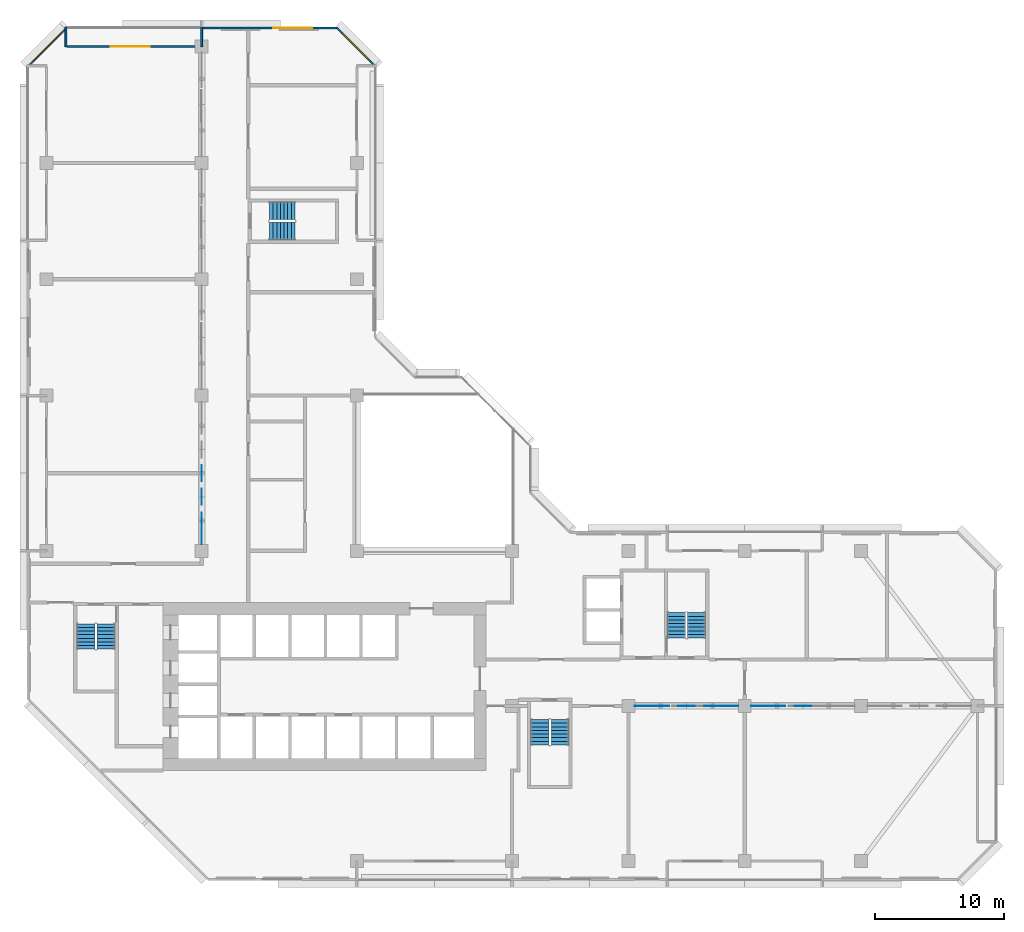
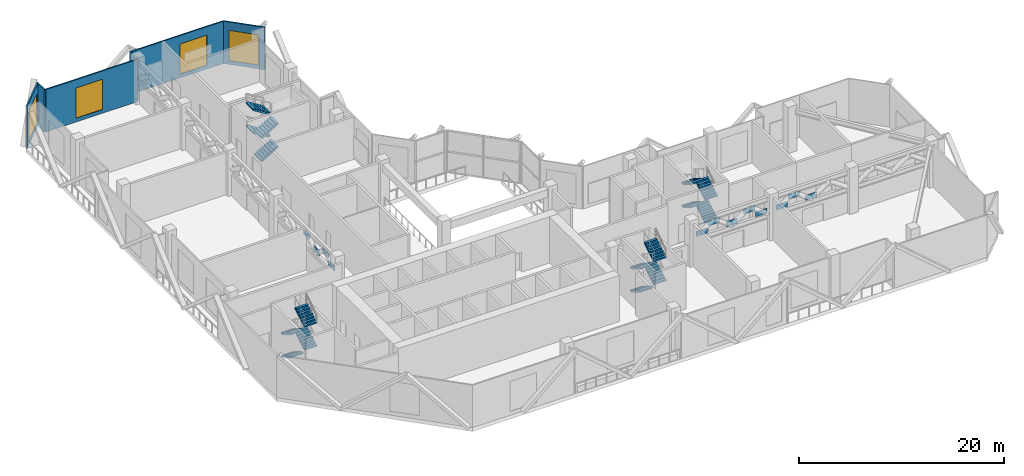
# One storey, part 11 of 15: 16 stair flights, 12 discrete accessories, 6 walls, 4 windows, 4 openings, 4 elements without a shape of their own.
"""IFC4 building model written with IfcOpenShell, lengths in metres."""

from ifc_helpers import new_model, si_unit, direction, frame, frame_2d, origin, place, context, subcontext, project, spatial, polyline, rectangle, outline, extrude, material, layer, layer_set, type_object, element, fill, aggregate, save


model = new_model("IFC4")

# Units and contexts
model_context = context("Model", 3, precision=1e-05, world=origin(), true_north=direction((0.0, 1.0)))
body_context = subcontext(model_context, "Body", "Model", "MODEL_VIEW")
ifc_project = project(units=[si_unit("LENGTHUNIT", "METRE"), si_unit("AREAUNIT", "SQUARE_METRE"), si_unit("VOLUMEUNIT", "CUBIC_METRE"), si_unit("PLANEANGLEUNIT", "RADIAN"), si_unit("MASSUNIT", "GRAM", prefix="KILO")], contexts=[model_context])

# Site, building, storey
site_placement = place(None, origin())
site = spatial("IfcSite", under=ifc_project, at=site_placement, CompositionType="ELEMENT")
building_placement = place(site_placement, origin())
building = spatial("IfcBuilding", under=site, at=building_placement, Name="Chenar Terraces", CompositionType="ELEMENT")
storey_placement = place(building_placement, frame((0.0, 0.0, 140.64990234375)))
storey = spatial("IfcBuildingStorey", under=building, at=storey_placement, Name="L33", CompositionType="ELEMENT", Elevation=140.64990234375)

# Wall, opening, window
ifc_material_1 = material(Name="Aluminium framed glazing", Category="aluminium")
ifc_layer_1 = layer(ifc_material_1, 0.14990234375)
ifc_layer_set_1 = layer_set([ifc_layer_1], Name="Aluminium framed glazing")
wall_type_1 = type_object("IfcWallType", Name="Glazed flush facade wall 150", PredefinedType="SOLIDWALL", material=ifc_layer_set_1)
wall_1_placement = place(storey_placement, frame((22.5, 64.425048828125, 0.0), z_axis=(0.0, 0.0, 1.0), x_axis=(-1.0, 0.0, 0.0)))
wall_1 = element("IfcWall", 1, at=wall_1_placement, inside=storey, type_object=wall_type_1, Name="Glazed flush facade wall", PredefinedType="SOLIDWALL", context=body_context, shape_type="SweptSolid", body=[
    extrude(rectangle(XDim=10.425048828125, YDim=0.14990234375, at=frame_2d((5.21240234375, 0.0))), origin(), (0.0, 0.0, 1.0), 5.050048828125),
])
opening_1_placement = place(wall_1_placement, frame((1.949951171875, 0.0, 0.449951171875)))
opening_1 = element("IfcOpeningElement", 2, at=opening_1_placement, cuts=wall_1, Name="Opening W300x360", PredefinedType="OPENING", context=body_context, shape_type="SweptSolid", body=[
    extrude(rectangle(XDim=3.0, YDim=3.60009765625, at=frame_2d((1.5, 1.800048828125))), frame((0.0, 0.0849609375, 0.0), z_axis=(0.0, -1.0, 0.0), x_axis=(1.0, 0.0, 0.0)), (0.0, 0.0, 1.0), 0.169921875),
])
ifc_material_2 = material(Name="Low emissivity double glazing, aluminium frame", Category="aluminium")
window_type = type_object("IfcWindowType", Name="Fixed light 3000 x 3600", PartitioningType="SINGLE_PANEL", PredefinedType="WINDOW", material=ifc_material_2)
window_1_placement = place(opening_1_placement, origin())
window_1 = element("IfcWindow", 3, at=window_1_placement, inside=storey, type_object=window_type, Name="Window", OverallHeight=3.60009765625, OverallWidth=3.0, PartitioningType="SINGLE_PANEL", PredefinedType="WINDOW", context=body_context, shape_type="SweptSolid", body=[
    extrude(rectangle(XDim=3.0, YDim=3.60009765625, at=frame_2d((1.5, 1.800048828125))), frame((0.0, 0.030029296875, 0.0), z_axis=(0.0, -1.0, 0.0), x_axis=(1.0, 0.0, 0.0)), (0.0, 0.0, 1.0), 0.06005859375),
])
fill(opening_1, window_1)

ifc_material_3 = material(Name="Aluminium framed glazing", Category="aluminium")
ifc_layer_2 = layer(ifc_material_3, 0.14990234375)
ifc_layer_set_2 = layer_set([ifc_layer_2], Name="Aluminium framed glazing")
wall_type_2 = type_object("IfcWallType", Name="Glazed loggia back wall 150", PredefinedType="SOLIDWALL", material=ifc_layer_set_2)
wall_2_placement = place(storey_placement, frame((11.925048828125, 63.0, 0.0), z_axis=(0.0, 0.0, 1.0), x_axis=(-1.0, 0.0, 0.0)))
wall_2 = element("IfcWall", 4, at=wall_2_placement, inside=storey, type_object=wall_type_2, Name="Glazed loggia back wall", PredefinedType="SOLIDWALL", context=body_context, shape_type="SweptSolid", body=[
    extrude(rectangle(XDim=10.35009765625, YDim=0.14990234375, at=frame_2d((5.175048828125, 0.0))), origin(), (0.0, 0.0, 1.0), 5.050048828125),
])
opening_2_placement = place(wall_2_placement, frame((3.9375, 0.0, 0.449951171875)))
opening_2 = element("IfcOpeningElement", 5, at=opening_2_placement, cuts=wall_2, Name="Opening W300x360", PredefinedType="OPENING", context=body_context, shape_type="SweptSolid", body=[
    extrude(rectangle(XDim=3.0, YDim=3.60009765625, at=frame_2d((1.5, 1.800048828125))), frame((0.0, 0.0849609375, 0.0), z_axis=(0.0, -1.0, 0.0), x_axis=(1.0, 0.0, 0.0)), (0.0, 0.0, 1.0), 0.169921875),
])
window_2_placement = place(opening_2_placement, origin())
window_2 = element("IfcWindow", 6, at=window_2_placement, inside=storey, type_object=window_type, Name="Window", OverallHeight=3.60009765625, OverallWidth=3.0, PartitioningType="SINGLE_PANEL", PredefinedType="WINDOW", context=body_context, shape_type="SweptSolid", body=[
    extrude(rectangle(XDim=3.0, YDim=3.60009765625, at=frame_2d((1.5, 1.800048828125))), frame((0.0, 0.030029296875, 0.0), z_axis=(0.0, -1.0, 0.0), x_axis=(1.0, 0.0, 0.0)), (0.0, 0.0, 1.0), 0.06005859375),
])
fill(opening_2, window_2)

# Walls
ifc_material_4 = material(Name="Terracotta cladding on insulated backing", Category="masonry")
ifc_layer_3 = layer(ifc_material_4, 0.14990234375)
ifc_layer_set_3 = layer_set([ifc_layer_3], Name="Terracotta cladding on insulated backing")
wall_type_3 = type_object("IfcWallType", Name="Loggia return wall 150", PredefinedType="SOLIDWALL", material=ifc_layer_set_3)
for number, where, z_axis, x_axis, name in (
    (7, (12.0, 64.5, 0.0), (0.0, 0.0, 1.0), (0.0, -1.0, 0.0), "Loggia return wall"),
    (8, (1.5, 64.5, 0.0), (0.0, 0.0, 1.0), (0.0, -1.0, 0.0), "Loggia return wall"),
):
    element("IfcWall", number, at=place(storey_placement, frame(where, z_axis=z_axis, x_axis=x_axis)), inside=storey, type_object=wall_type_3, Name=name, PredefinedType="SOLIDWALL", context=body_context, shape_type="SweptSolid", body=[
        extrude(rectangle(XDim=1.5, YDim=0.14990234375, at=frame_2d((0.75, 0.0))), origin(), (0.0, 0.0, 1.0), 5.050048828125),
    ])

# Wall, opening, window
ifc_material_5 = material(Name="Terracotta cladding on insulated backing", Category="masonry")
ifc_layer_4 = layer(ifc_material_5, 0.14990234375)
ifc_layer_set_4 = layer_set([ifc_layer_4], Name="Terracotta cladding on insulated backing")
wall_type_4 = type_object("IfcWallType", Name="Terracotta rainscreen wall 150", PredefinedType="SOLIDWALL", material=ifc_layer_set_4)
wall_3_placement = place(storey_placement, frame((25.447021484375, 61.447021484375, 0.0), z_axis=(0.0, 0.0, 1.0), x_axis=(-0.707106781187, 0.707106781187, 0.0)))
wall_3 = element("IfcWall", 9, at=wall_3_placement, inside=storey, type_object=wall_type_4, Name="Terracotta rainscreen wall", PredefinedType="SOLIDWALL", context=body_context, shape_type="SweptSolid", body=[
    extrude(rectangle(XDim=4.24267578125, YDim=0.14990234375, at=frame_2d((2.121337890625, 0.0))), origin(), (0.0, 0.0, 1.0), 5.050048828125),
])
opening_3_placement = place(wall_3_placement, frame((0.621337890625, 0.0, 0.449951171875)))
opening_3 = element("IfcOpeningElement", 10, at=opening_3_placement, cuts=wall_3, Name="Opening W300x360", PredefinedType="OPENING", context=body_context, shape_type="SweptSolid", body=[
    extrude(rectangle(XDim=3.0, YDim=3.60009765625, at=frame_2d((1.5, 1.800048828125))), frame((0.0, 0.0849609375, 0.0), z_axis=(0.0, -1.0, 0.0), x_axis=(1.0, 0.0, 0.0)), (0.0, 0.0, 1.0), 0.169921875),
])
window_3_placement = place(opening_3_placement, origin())
window_3 = element("IfcWindow", 11, at=window_3_placement, inside=storey, type_object=window_type, Name="Window", OverallHeight=3.60009765625, OverallWidth=3.0, PartitioningType="SINGLE_PANEL", PredefinedType="WINDOW", context=body_context, shape_type="SweptSolid", body=[
    extrude(rectangle(XDim=3.0, YDim=3.60009765625, at=frame_2d((1.5, 1.800048828125))), frame((0.0, 0.030029296875, 0.0), z_axis=(0.0, -1.0, 0.0), x_axis=(1.0, 0.0, 0.0)), (0.0, 0.0, 1.0), 0.06005859375),
])
fill(opening_3, window_3)

wall_4_placement = place(storey_placement, frame((1.552978515625, 64.447021484375, 0.0), z_axis=(0.0, 0.0, 1.0), x_axis=(-0.707106781187, -0.707106781187, 0.0)))
wall_4 = element("IfcWall", 12, at=wall_4_placement, inside=storey, type_object=wall_type_4, Name="Terracotta rainscreen wall", PredefinedType="SOLIDWALL", context=body_context, shape_type="SweptSolid", body=[
    extrude(rectangle(XDim=4.24267578125, YDim=0.14990234375, at=frame_2d((2.121337890625, 0.0))), origin(), (0.0, 0.0, 1.0), 5.050048828125),
])
opening_4_placement = place(wall_4_placement, frame((0.621337890625, 0.0, 0.449951171875)))
opening_4 = element("IfcOpeningElement", 13, at=opening_4_placement, cuts=wall_4, Name="Opening W300x360", PredefinedType="OPENING", context=body_context, shape_type="SweptSolid", body=[
    extrude(rectangle(XDim=3.0, YDim=3.60009765625, at=frame_2d((1.5, 1.800048828125))), frame((0.0, 0.0849609375, 0.0), z_axis=(0.0, -1.0, 0.0), x_axis=(1.0, 0.0, 0.0)), (0.0, 0.0, 1.0), 0.169921875),
])
window_4_placement = place(opening_4_placement, origin())
window_4 = element("IfcWindow", 14, at=window_4_placement, inside=storey, type_object=window_type, Name="Window", OverallHeight=3.60009765625, OverallWidth=3.0, PartitioningType="SINGLE_PANEL", PredefinedType="WINDOW", context=body_context, shape_type="SweptSolid", body=[
    extrude(rectangle(XDim=3.0, YDim=3.60009765625, at=frame_2d((1.5, 1.800048828125))), frame((0.0, 0.030029296875, 0.0), z_axis=(0.0, -1.0, 0.0), x_axis=(1.0, 0.0, 0.0)), (0.0, 0.0, 1.0), 0.06005859375),
])
fill(opening_4, window_4)

# Stair, stair flights
ifc_material_6 = material(Name="Reinforced concrete C40/50", Category="concrete")
stair_type = type_object("IfcStairType", Name="Core stair 1400 half-turn", PredefinedType="HALF_TURN_STAIR", material=ifc_material_6)
placement_1 = place(storey_placement, origin())
stair_1 = element("IfcStair", 15, at=placement_1, inside=storey, type_object=stair_type, Name="L33 Stair 1", PredefinedType="HALF_TURN_STAIR")
ifc_material_7 = material(Name="Reinforced concrete C40/50", Category="concrete")
stair_flight_type = type_object("IfcStairFlightType", Name="Core stair flight 1400", PredefinedType="STRAIGHT", material=ifc_material_7)
stair_flight_1_placement = place(storey_placement, frame((3.050048828125, 18.35009765625, 0.0), z_axis=(0.0, 0.0, 1.0), x_axis=(0.0, -1.0, 0.0)))
stair_flight_1 = element("IfcStairFlight", 16, at=stair_flight_1_placement, type_object=stair_flight_type, Name="ST1 flight 1", NumberOfRisers=8, NumberOfTreads=7, PredefinedType="STRAIGHT", RiserHeight=0.171875, TreadLength=0.28, context=body_context, shape_type="SweptSolid", body=[
    extrude(outline(polyline([(-0.0029296875, 0.0), (-0.0029296875, 0.171875), (0.0, 0.171875), (0.280029296875, 0.171875), (0.280029296875, 0.34375), (0.56005859375, 0.34375), (0.56005859375, 0.515625), (0.840087890625, 0.515625), (0.840087890625, 0.6875), (1.1201171875, 0.6875), (1.1201171875, 0.859375), (1.39990234375, 0.859375), (1.39990234375, 1.03125), (1.679931640625, 1.03125), (1.679931640625, 1.203125), (1.9599609375, 1.203125), (1.962890625, 1.203125), (1.962890625, 1.02734375), (1.9599609375, 1.02734375), (0.28662109375, 0.0), (-0.0029296875, 0.0)])), frame((0.0, 0.699951171875, 0.0), z_axis=(0.0, -1.0, 0.0), x_axis=(1.0, 0.0, 0.0)), (0.0, 0.0, 1.0), 1.39990234375),
])
stair_flight_2_placement = place(storey_placement, frame((4.60009765625, 16.389892578125, 1.375), z_axis=(0.0, 0.0, 1.0), x_axis=(0.0, 1.0, 0.0)))
stair_flight_2 = element("IfcStairFlight", 17, at=stair_flight_2_placement, type_object=stair_flight_type, Name="ST1 flight 2", NumberOfRisers=8, NumberOfTreads=7, PredefinedType="STRAIGHT", RiserHeight=0.171875, TreadLength=0.28, context=body_context, shape_type="SweptSolid", body=[
    extrude(outline(polyline([(-0.0029296875, 0.0), (-0.0029296875, 0.171875), (0.0, 0.171875), (0.280029296875, 0.171875), (0.280029296875, 0.34375), (0.56005859375, 0.34375), (0.56005859375, 0.515625), (0.840087890625, 0.515625), (0.840087890625, 0.6875), (1.1201171875, 0.6875), (1.1201171875, 0.859375), (1.39990234375, 0.859375), (1.39990234375, 1.03125), (1.679931640625, 1.03125), (1.679931640625, 1.203125), (1.9599609375, 1.203125), (1.962890625, 1.203125), (1.962890625, 1.02734375), (1.9599609375, 1.02734375), (0.28662109375, 0.0), (-0.0029296875, 0.0)])), frame((0.0, 0.699951171875, 0.0), z_axis=(0.0, -1.0, 0.0), x_axis=(1.0, 0.0, 0.0)), (0.0, 0.0, 1.0), 1.39990234375),
])
stair_flight_3_placement = place(storey_placement, frame((3.050048828125, 18.35009765625, 2.75), z_axis=(0.0, 0.0, 1.0), x_axis=(0.0, -1.0, 0.0)))
stair_flight_3 = element("IfcStairFlight", 18, at=stair_flight_3_placement, type_object=stair_flight_type, Name="ST1 flight 3", NumberOfRisers=8, NumberOfTreads=7, PredefinedType="STRAIGHT", RiserHeight=0.171875, TreadLength=0.28, context=body_context, shape_type="SweptSolid", body=[
    extrude(outline(polyline([(-0.0029296875, 0.0), (-0.0029296875, 0.171875), (0.0, 0.171875), (0.280029296875, 0.171875), (0.280029296875, 0.34375), (0.56005859375, 0.34375), (0.56005859375, 0.515625), (0.840087890625, 0.515625), (0.840087890625, 0.6875), (1.1201171875, 0.6875), (1.1201171875, 0.859375), (1.39990234375, 0.859375), (1.39990234375, 1.03125), (1.679931640625, 1.03125), (1.679931640625, 1.203125), (1.9599609375, 1.203125), (1.962890625, 1.203125), (1.962890625, 1.02734375), (1.9599609375, 1.02734375), (0.28662109375, 0.0), (-0.0029296875, 0.0)])), frame((0.0, 0.699951171875, 0.0), z_axis=(0.0, -1.0, 0.0), x_axis=(1.0, 0.0, 0.0)), (0.0, 0.0, 1.0), 1.39990234375),
])
stair_flight_4_placement = place(storey_placement, frame((4.60009765625, 16.389892578125, 4.125), z_axis=(0.0, 0.0, 1.0), x_axis=(0.0, 1.0, 0.0)))
stair_flight_4 = element("IfcStairFlight", 19, at=stair_flight_4_placement, type_object=stair_flight_type, Name="ST1 flight 4", NumberOfRisers=8, NumberOfTreads=7, PredefinedType="STRAIGHT", RiserHeight=0.171875, TreadLength=0.28, context=body_context, shape_type="SweptSolid", body=[
    extrude(outline(polyline([(-0.0029296875, 0.0), (-0.0029296875, 0.171875), (0.0, 0.171875), (0.280029296875, 0.171875), (0.280029296875, 0.34375), (0.56005859375, 0.34375), (0.56005859375, 0.515625), (0.840087890625, 0.515625), (0.840087890625, 0.6875), (1.1201171875, 0.6875), (1.1201171875, 0.859375), (1.39990234375, 0.859375), (1.39990234375, 1.03125), (1.679931640625, 1.03125), (1.679931640625, 1.203125), (1.9599609375, 1.203125), (1.962890625, 1.203125), (1.962890625, 1.02734375), (1.9599609375, 1.02734375), (0.28662109375, 0.0), (-0.0029296875, 0.0)])), frame((0.0, 0.699951171875, 0.0), z_axis=(0.0, -1.0, 0.0), x_axis=(1.0, 0.0, 0.0)), (0.0, 0.0, 1.0), 1.39990234375),
])
aggregate(stair_1, [stair_flight_1, stair_flight_2, stair_flight_3, stair_flight_4])

stair_2 = element("IfcStair", 20, at=placement_1, inside=storey, type_object=stair_type, Name="L33 Stair 2", PredefinedType="HALF_TURN_STAIR")
stair_flight_5_placement = place(storey_placement, frame((38.14990234375, 10.949951171875, 0.0), z_axis=(0.0, 0.0, 1.0), x_axis=(0.0, -1.0, 0.0)))
stair_flight_5 = element("IfcStairFlight", 21, at=stair_flight_5_placement, type_object=stair_flight_type, Name="ST2 flight 1", NumberOfRisers=8, NumberOfTreads=7, PredefinedType="STRAIGHT", RiserHeight=0.171875, TreadLength=0.28, context=body_context, shape_type="SweptSolid", body=[
    extrude(outline(polyline([(-0.0029296875, 0.0), (-0.0029296875, 0.171875), (0.0, 0.171875), (0.280029296875, 0.171875), (0.280029296875, 0.34375), (0.56005859375, 0.34375), (0.56005859375, 0.515625), (0.840087890625, 0.515625), (0.840087890625, 0.6875), (1.1201171875, 0.6875), (1.1201171875, 0.859375), (1.39990234375, 0.859375), (1.39990234375, 1.03125), (1.679931640625, 1.03125), (1.679931640625, 1.203125), (1.9599609375, 1.203125), (1.962890625, 1.203125), (1.962890625, 1.02734375), (1.9599609375, 1.02734375), (0.28662109375, 0.0), (-0.0029296875, 0.0)])), frame((0.0, 0.699951171875, 0.0), z_axis=(0.0, -1.0, 0.0), x_axis=(1.0, 0.0, 0.0)), (0.0, 0.0, 1.0), 1.39990234375),
])
stair_flight_6_placement = place(storey_placement, frame((39.699951171875, 8.989990234375, 1.375), z_axis=(0.0, 0.0, 1.0), x_axis=(0.0, 1.0, 0.0)))
stair_flight_6 = element("IfcStairFlight", 22, at=stair_flight_6_placement, type_object=stair_flight_type, Name="ST2 flight 2", NumberOfRisers=8, NumberOfTreads=7, PredefinedType="STRAIGHT", RiserHeight=0.171875, TreadLength=0.28, context=body_context, shape_type="SweptSolid", body=[
    extrude(outline(polyline([(-0.0029296875, 0.0), (-0.0029296875, 0.171875), (0.0, 0.171875), (0.280029296875, 0.171875), (0.280029296875, 0.34375), (0.56005859375, 0.34375), (0.56005859375, 0.515625), (0.840087890625, 0.515625), (0.840087890625, 0.6875), (1.1201171875, 0.6875), (1.1201171875, 0.859375), (1.39990234375, 0.859375), (1.39990234375, 1.03125), (1.679931640625, 1.03125), (1.679931640625, 1.203125), (1.9599609375, 1.203125), (1.962890625, 1.203125), (1.962890625, 1.02734375), (1.9599609375, 1.02734375), (0.28662109375, 0.0), (-0.0029296875, 0.0)])), frame((0.0, 0.699951171875, 0.0), z_axis=(0.0, -1.0, 0.0), x_axis=(1.0, 0.0, 0.0)), (0.0, 0.0, 1.0), 1.39990234375),
])
stair_flight_7_placement = place(storey_placement, frame((38.14990234375, 10.949951171875, 2.75), z_axis=(0.0, 0.0, 1.0), x_axis=(0.0, -1.0, 0.0)))
stair_flight_7 = element("IfcStairFlight", 23, at=stair_flight_7_placement, type_object=stair_flight_type, Name="ST2 flight 3", NumberOfRisers=8, NumberOfTreads=7, PredefinedType="STRAIGHT", RiserHeight=0.171875, TreadLength=0.28, context=body_context, shape_type="SweptSolid", body=[
    extrude(outline(polyline([(-0.0029296875, 0.0), (-0.0029296875, 0.171875), (0.0, 0.171875), (0.280029296875, 0.171875), (0.280029296875, 0.34375), (0.56005859375, 0.34375), (0.56005859375, 0.515625), (0.840087890625, 0.515625), (0.840087890625, 0.6875), (1.1201171875, 0.6875), (1.1201171875, 0.859375), (1.39990234375, 0.859375), (1.39990234375, 1.03125), (1.679931640625, 1.03125), (1.679931640625, 1.203125), (1.9599609375, 1.203125), (1.962890625, 1.203125), (1.962890625, 1.02734375), (1.9599609375, 1.02734375), (0.28662109375, 0.0), (-0.0029296875, 0.0)])), frame((0.0, 0.699951171875, 0.0), z_axis=(0.0, -1.0, 0.0), x_axis=(1.0, 0.0, 0.0)), (0.0, 0.0, 1.0), 1.39990234375),
])
stair_flight_8_placement = place(storey_placement, frame((39.699951171875, 8.989990234375, 4.125), z_axis=(0.0, 0.0, 1.0), x_axis=(0.0, 1.0, 0.0)))
stair_flight_8 = element("IfcStairFlight", 24, at=stair_flight_8_placement, type_object=stair_flight_type, Name="ST2 flight 4", NumberOfRisers=8, NumberOfTreads=7, PredefinedType="STRAIGHT", RiserHeight=0.171875, TreadLength=0.28, context=body_context, shape_type="SweptSolid", body=[
    extrude(outline(polyline([(-0.0029296875, 0.0), (-0.0029296875, 0.171875), (0.0, 0.171875), (0.280029296875, 0.171875), (0.280029296875, 0.34375), (0.56005859375, 0.34375), (0.56005859375, 0.515625), (0.840087890625, 0.515625), (0.840087890625, 0.6875), (1.1201171875, 0.6875), (1.1201171875, 0.859375), (1.39990234375, 0.859375), (1.39990234375, 1.03125), (1.679931640625, 1.03125), (1.679931640625, 1.203125), (1.9599609375, 1.203125), (1.962890625, 1.203125), (1.962890625, 1.02734375), (1.9599609375, 1.02734375), (0.28662109375, 0.0), (-0.0029296875, 0.0)])), frame((0.0, 0.699951171875, 0.0), z_axis=(0.0, -1.0, 0.0), x_axis=(1.0, 0.0, 0.0)), (0.0, 0.0, 1.0), 1.39990234375),
])
aggregate(stair_2, [stair_flight_5, stair_flight_6, stair_flight_7, stair_flight_8])

stair_3 = element("IfcStair", 25, at=placement_1, inside=storey, type_object=stair_type, Name="L33 Stair 3", PredefinedType="HALF_TURN_STAIR")
stair_flight_9_placement = place(storey_placement, frame((50.27490234375, 17.25, 0.0), z_axis=(0.0, 0.0, 1.0), x_axis=(0.0, 1.0, 0.0)))
stair_flight_9 = element("IfcStairFlight", 26, at=stair_flight_9_placement, type_object=stair_flight_type, Name="ST3 flight 1", NumberOfRisers=8, NumberOfTreads=7, PredefinedType="STRAIGHT", RiserHeight=0.171875, TreadLength=0.28, context=body_context, shape_type="SweptSolid", body=[
    extrude(outline(polyline([(-0.0029296875, 0.0), (-0.0029296875, 0.171875), (0.0, 0.171875), (0.280029296875, 0.171875), (0.280029296875, 0.34375), (0.56005859375, 0.34375), (0.56005859375, 0.515625), (0.840087890625, 0.515625), (0.840087890625, 0.6875), (1.1201171875, 0.6875), (1.1201171875, 0.859375), (1.39990234375, 0.859375), (1.39990234375, 1.03125), (1.679931640625, 1.03125), (1.679931640625, 1.203125), (1.9599609375, 1.203125), (1.962890625, 1.203125), (1.962890625, 1.02734375), (1.9599609375, 1.02734375), (0.28662109375, 0.0), (-0.0029296875, 0.0)])), frame((0.0, 0.699951171875, 0.0), z_axis=(0.0, -1.0, 0.0), x_axis=(1.0, 0.0, 0.0)), (0.0, 0.0, 1.0), 1.39990234375),
])
stair_flight_10_placement = place(storey_placement, frame((48.72509765625, 19.2099609375, 1.375), z_axis=(0.0, 0.0, 1.0), x_axis=(0.0, -1.0, 0.0)))
stair_flight_10 = element("IfcStairFlight", 27, at=stair_flight_10_placement, type_object=stair_flight_type, Name="ST3 flight 2", NumberOfRisers=8, NumberOfTreads=7, PredefinedType="STRAIGHT", RiserHeight=0.171875, TreadLength=0.28, context=body_context, shape_type="SweptSolid", body=[
    extrude(outline(polyline([(-0.0029296875, 0.0), (-0.0029296875, 0.171875), (0.0, 0.171875), (0.280029296875, 0.171875), (0.280029296875, 0.34375), (0.56005859375, 0.34375), (0.56005859375, 0.515625), (0.840087890625, 0.515625), (0.840087890625, 0.6875), (1.1201171875, 0.6875), (1.1201171875, 0.859375), (1.39990234375, 0.859375), (1.39990234375, 1.03125), (1.679931640625, 1.03125), (1.679931640625, 1.203125), (1.9599609375, 1.203125), (1.962890625, 1.203125), (1.962890625, 1.02734375), (1.9599609375, 1.02734375), (0.28662109375, 0.0), (-0.0029296875, 0.0)])), frame((0.0, 0.699951171875, 0.0), z_axis=(0.0, -1.0, 0.0), x_axis=(1.0, 0.0, 0.0)), (0.0, 0.0, 1.0), 1.39990234375),
])
stair_flight_11_placement = place(storey_placement, frame((50.27490234375, 17.25, 2.75), z_axis=(0.0, 0.0, 1.0), x_axis=(0.0, 1.0, 0.0)))
stair_flight_11 = element("IfcStairFlight", 28, at=stair_flight_11_placement, type_object=stair_flight_type, Name="ST3 flight 3", NumberOfRisers=8, NumberOfTreads=7, PredefinedType="STRAIGHT", RiserHeight=0.171875, TreadLength=0.28, context=body_context, shape_type="SweptSolid", body=[
    extrude(outline(polyline([(-0.0029296875, 0.0), (-0.0029296875, 0.171875), (0.0, 0.171875), (0.280029296875, 0.171875), (0.280029296875, 0.34375), (0.56005859375, 0.34375), (0.56005859375, 0.515625), (0.840087890625, 0.515625), (0.840087890625, 0.6875), (1.1201171875, 0.6875), (1.1201171875, 0.859375), (1.39990234375, 0.859375), (1.39990234375, 1.03125), (1.679931640625, 1.03125), (1.679931640625, 1.203125), (1.9599609375, 1.203125), (1.962890625, 1.203125), (1.962890625, 1.02734375), (1.9599609375, 1.02734375), (0.28662109375, 0.0), (-0.0029296875, 0.0)])), frame((0.0, 0.699951171875, 0.0), z_axis=(0.0, -1.0, 0.0), x_axis=(1.0, 0.0, 0.0)), (0.0, 0.0, 1.0), 1.39990234375),
])
stair_flight_12_placement = place(storey_placement, frame((48.72509765625, 19.2099609375, 4.125), z_axis=(0.0, 0.0, 1.0), x_axis=(0.0, -1.0, 0.0)))
stair_flight_12 = element("IfcStairFlight", 29, at=stair_flight_12_placement, type_object=stair_flight_type, Name="ST3 flight 4", NumberOfRisers=8, NumberOfTreads=7, PredefinedType="STRAIGHT", RiserHeight=0.171875, TreadLength=0.28, context=body_context, shape_type="SweptSolid", body=[
    extrude(outline(polyline([(-0.0029296875, 0.0), (-0.0029296875, 0.171875), (0.0, 0.171875), (0.280029296875, 0.171875), (0.280029296875, 0.34375), (0.56005859375, 0.34375), (0.56005859375, 0.515625), (0.840087890625, 0.515625), (0.840087890625, 0.6875), (1.1201171875, 0.6875), (1.1201171875, 0.859375), (1.39990234375, 0.859375), (1.39990234375, 1.03125), (1.679931640625, 1.03125), (1.679931640625, 1.203125), (1.9599609375, 1.203125), (1.962890625, 1.203125), (1.962890625, 1.02734375), (1.9599609375, 1.02734375), (0.28662109375, 0.0), (-0.0029296875, 0.0)])), frame((0.0, 0.699951171875, 0.0), z_axis=(0.0, -1.0, 0.0), x_axis=(1.0, 0.0, 0.0)), (0.0, 0.0, 1.0), 1.39990234375),
])
aggregate(stair_3, [stair_flight_9, stair_flight_10, stair_flight_11, stair_flight_12])

stair_4 = element("IfcStair", 30, at=placement_1, inside=storey, type_object=stair_type, Name="L33 Stair 4", PredefinedType="HALF_TURN_STAIR")
stair_flight_13_placement = place(storey_placement, frame((17.25, 48.72509765625, 0.0), z_axis=(0.0, 0.0, 1.0), x_axis=(1.0, 0.0, 0.0)))
stair_flight_13 = element("IfcStairFlight", 31, at=stair_flight_13_placement, type_object=stair_flight_type, Name="ST4 flight 1", NumberOfRisers=8, NumberOfTreads=7, PredefinedType="STRAIGHT", RiserHeight=0.171875, TreadLength=0.28, context=body_context, shape_type="SweptSolid", body=[
    extrude(outline(polyline([(-0.0029296875, 0.0), (-0.0029296875, 0.171875), (0.0, 0.171875), (0.280029296875, 0.171875), (0.280029296875, 0.34375), (0.56005859375, 0.34375), (0.56005859375, 0.515625), (0.840087890625, 0.515625), (0.840087890625, 0.6875), (1.1201171875, 0.6875), (1.1201171875, 0.859375), (1.39990234375, 0.859375), (1.39990234375, 1.03125), (1.679931640625, 1.03125), (1.679931640625, 1.203125), (1.9599609375, 1.203125), (1.962890625, 1.203125), (1.962890625, 1.02734375), (1.9599609375, 1.02734375), (0.28662109375, 0.0), (-0.0029296875, 0.0)])), frame((0.0, 0.699951171875, 0.0), z_axis=(0.0, -1.0, 0.0), x_axis=(1.0, 0.0, 0.0)), (0.0, 0.0, 1.0), 1.39990234375),
])
stair_flight_14_placement = place(storey_placement, frame((19.2099609375, 50.27490234375, 1.375), z_axis=(0.0, 0.0, 1.0), x_axis=(-1.0, 0.0, 0.0)))
stair_flight_14 = element("IfcStairFlight", 32, at=stair_flight_14_placement, type_object=stair_flight_type, Name="ST4 flight 2", NumberOfRisers=8, NumberOfTreads=7, PredefinedType="STRAIGHT", RiserHeight=0.171875, TreadLength=0.28, context=body_context, shape_type="SweptSolid", body=[
    extrude(outline(polyline([(-0.0029296875, 0.0), (-0.0029296875, 0.171875), (0.0, 0.171875), (0.280029296875, 0.171875), (0.280029296875, 0.34375), (0.56005859375, 0.34375), (0.56005859375, 0.515625), (0.840087890625, 0.515625), (0.840087890625, 0.6875), (1.1201171875, 0.6875), (1.1201171875, 0.859375), (1.39990234375, 0.859375), (1.39990234375, 1.03125), (1.679931640625, 1.03125), (1.679931640625, 1.203125), (1.9599609375, 1.203125), (1.962890625, 1.203125), (1.962890625, 1.02734375), (1.9599609375, 1.02734375), (0.28662109375, 0.0), (-0.0029296875, 0.0)])), frame((0.0, 0.699951171875, 0.0), z_axis=(0.0, -1.0, 0.0), x_axis=(1.0, 0.0, 0.0)), (0.0, 0.0, 1.0), 1.39990234375),
])
stair_flight_15_placement = place(storey_placement, frame((17.25, 48.72509765625, 2.75), z_axis=(0.0, 0.0, 1.0), x_axis=(1.0, 0.0, 0.0)))
stair_flight_15 = element("IfcStairFlight", 33, at=stair_flight_15_placement, type_object=stair_flight_type, Name="ST4 flight 3", NumberOfRisers=8, NumberOfTreads=7, PredefinedType="STRAIGHT", RiserHeight=0.171875, TreadLength=0.28, context=body_context, shape_type="SweptSolid", body=[
    extrude(outline(polyline([(-0.0029296875, 0.0), (-0.0029296875, 0.171875), (0.0, 0.171875), (0.280029296875, 0.171875), (0.280029296875, 0.34375), (0.56005859375, 0.34375), (0.56005859375, 0.515625), (0.840087890625, 0.515625), (0.840087890625, 0.6875), (1.1201171875, 0.6875), (1.1201171875, 0.859375), (1.39990234375, 0.859375), (1.39990234375, 1.03125), (1.679931640625, 1.03125), (1.679931640625, 1.203125), (1.9599609375, 1.203125), (1.962890625, 1.203125), (1.962890625, 1.02734375), (1.9599609375, 1.02734375), (0.28662109375, 0.0), (-0.0029296875, 0.0)])), frame((0.0, 0.699951171875, 0.0), z_axis=(0.0, -1.0, 0.0), x_axis=(1.0, 0.0, 0.0)), (0.0, 0.0, 1.0), 1.39990234375),
])
stair_flight_16_placement = place(storey_placement, frame((19.2099609375, 50.27490234375, 4.125), z_axis=(0.0, 0.0, 1.0), x_axis=(-1.0, 0.0, 0.0)))
stair_flight_16 = element("IfcStairFlight", 34, at=stair_flight_16_placement, type_object=stair_flight_type, Name="ST4 flight 4", NumberOfRisers=8, NumberOfTreads=7, PredefinedType="STRAIGHT", RiserHeight=0.171875, TreadLength=0.28, context=body_context, shape_type="SweptSolid", body=[
    extrude(outline(polyline([(-0.0029296875, 0.0), (-0.0029296875, 0.171875), (0.0, 0.171875), (0.280029296875, 0.171875), (0.280029296875, 0.34375), (0.56005859375, 0.34375), (0.56005859375, 0.515625), (0.840087890625, 0.515625), (0.840087890625, 0.6875), (1.1201171875, 0.6875), (1.1201171875, 0.859375), (1.39990234375, 0.859375), (1.39990234375, 1.03125), (1.679931640625, 1.03125), (1.679931640625, 1.203125), (1.9599609375, 1.203125), (1.962890625, 1.203125), (1.962890625, 1.02734375), (1.9599609375, 1.02734375), (0.28662109375, 0.0), (-0.0029296875, 0.0)])), frame((0.0, 0.699951171875, 0.0), z_axis=(0.0, -1.0, 0.0), x_axis=(1.0, 0.0, 0.0)), (0.0, 0.0, 1.0), 1.39990234375),
])
aggregate(stair_4, [stair_flight_13, stair_flight_14, stair_flight_15, stair_flight_16])

# Discrete accessories
ifc_material_8 = material(Name="Structural steel S355", Category="steel")
ifc_layer_5 = layer(ifc_material_8, 0.02490234375)
ifc_layer_set_5 = layer_set([ifc_layer_5], Name="Structural steel S355")
discrete_accessory_type = type_object("IfcDiscreteAccessoryType", Name="Gusset plate 25 S355", PredefinedType="BRACKET", material=ifc_layer_set_5)
placement_2 = place(storey_placement, frame((0.0, 0.0, 3.0400390625)))
element("IfcDiscreteAccessory", 35, at=placement_2, inside=storey, type_object=discrete_accessory_type, Name="Gusset plate L33 A1 node 0", PredefinedType="BRACKET", context=body_context, shape_type="SweptSolid", body=[
    extrude(outline(polyline([(45.5, 11.987548828125), (46.785888671875, 11.987548828125), (46.785888671875, 12.012451171875), (45.5, 12.012451171875), (45.5, 11.987548828125)])), origin(), (0.0, 0.0, 1.0), 0.610107421875),
])
placement_3 = place(storey_placement, frame((0.0, 0.0, 3.85009765625)))
element("IfcDiscreteAccessory", 36, at=placement_3, inside=storey, type_object=discrete_accessory_type, Name="Gusset plate L33 A1 node 1", PredefinedType="BRACKET", context=body_context, shape_type="SweptSolid", body=[
    extrude(outline(polyline([(46.857177734375, 11.987548828125), (48.142822265625, 11.987548828125), (48.142822265625, 12.012451171875), (46.857177734375, 12.012451171875), (46.857177734375, 11.987548828125)])), origin(), (0.0, 0.0, 1.0), 0.610107421875),
])
element("IfcDiscreteAccessory", 37, at=placement_2, inside=storey, type_object=discrete_accessory_type, Name="Gusset plate L33 A1 node 2", PredefinedType="BRACKET", context=body_context, shape_type="SweptSolid", body=[
    extrude(outline(polyline([(48.857177734375, 11.987548828125), (50.142822265625, 11.987548828125), (50.142822265625, 12.012451171875), (48.857177734375, 12.012451171875), (48.857177734375, 11.987548828125)])), origin(), (0.0, 0.0, 1.0), 0.610107421875),
])
element("IfcDiscreteAccessory", 38, at=placement_3, inside=storey, type_object=discrete_accessory_type, Name="Gusset plate L33 A1 node 3", PredefinedType="BRACKET", context=body_context, shape_type="SweptSolid", body=[
    extrude(outline(polyline([(50.857177734375, 11.987548828125), (52.142822265625, 11.987548828125), (52.142822265625, 12.012451171875), (50.857177734375, 12.012451171875), (50.857177734375, 11.987548828125)])), origin(), (0.0, 0.0, 1.0), 0.610107421875),
])
element("IfcDiscreteAccessory", 39, at=placement_2, inside=storey, type_object=discrete_accessory_type, Name="Gusset plate L33 A1 node 4", PredefinedType="BRACKET", context=body_context, shape_type="SweptSolid", body=[
    extrude(outline(polyline([(52.214111328125, 11.987548828125), (53.5, 11.987548828125), (53.5, 12.012451171875), (52.214111328125, 12.012451171875), (52.214111328125, 11.987548828125)])), origin(), (0.0, 0.0, 1.0), 0.610107421875),
])
element("IfcDiscreteAccessory", 40, at=placement_2, inside=storey, type_object=discrete_accessory_type, Name="Gusset plate L33 A2 node 0", PredefinedType="BRACKET", context=body_context, shape_type="SweptSolid", body=[
    extrude(outline(polyline([(54.5, 11.987548828125), (55.785888671875, 11.987548828125), (55.785888671875, 12.012451171875), (54.5, 12.012451171875), (54.5, 11.987548828125)])), origin(), (0.0, 0.0, 1.0), 0.610107421875),
])
element("IfcDiscreteAccessory", 41, at=placement_3, inside=storey, type_object=discrete_accessory_type, Name="Gusset plate L33 A2 node 1", PredefinedType="BRACKET", context=body_context, shape_type="SweptSolid", body=[
    extrude(outline(polyline([(55.857177734375, 11.987548828125), (57.142822265625, 11.987548828125), (57.142822265625, 12.012451171875), (55.857177734375, 12.012451171875), (55.857177734375, 11.987548828125)])), origin(), (0.0, 0.0, 1.0), 0.610107421875),
])
element("IfcDiscreteAccessory", 42, at=placement_2, inside=storey, type_object=discrete_accessory_type, Name="Gusset plate L33 A2 node 2", PredefinedType="BRACKET", context=body_context, shape_type="SweptSolid", body=[
    extrude(outline(polyline([(57.857177734375, 11.987548828125), (59.142822265625, 11.987548828125), (59.142822265625, 12.012451171875), (57.857177734375, 12.012451171875), (57.857177734375, 11.987548828125)])), origin(), (0.0, 0.0, 1.0), 0.610107421875),
])
element("IfcDiscreteAccessory", 43, at=placement_2, inside=storey, type_object=discrete_accessory_type, Name="Gusset plate L33 B1 node 0", PredefinedType="BRACKET", context=body_context, shape_type="SweptSolid", body=[
    extrude(outline(polyline([(12.012451171875, 24.5), (12.012451171875, 25.737060546875), (11.987548828125, 25.737060546875), (11.987548828125, 24.5), (12.012451171875, 24.5)])), origin(), (0.0, 0.0, 1.0), 0.610107421875),
])
element("IfcDiscreteAccessory", 44, at=placement_3, inside=storey, type_object=discrete_accessory_type, Name="Gusset plate L33 B1 node 1", PredefinedType="BRACKET", context=body_context, shape_type="SweptSolid", body=[
    extrude(outline(polyline([(12.012451171875, 25.71484375), (12.012451171875, 26.951904296875), (11.987548828125, 26.951904296875), (11.987548828125, 25.71484375), (12.012451171875, 25.71484375)])), origin(), (0.0, 0.0, 1.0), 0.610107421875),
])
element("IfcDiscreteAccessory", 45, at=placement_2, inside=storey, type_object=discrete_accessory_type, Name="Gusset plate L33 B1 node 2", PredefinedType="BRACKET", context=body_context, shape_type="SweptSolid", body=[
    extrude(outline(polyline([(12.012451171875, 27.548095703125), (12.012451171875, 28.78515625), (11.987548828125, 28.78515625), (11.987548828125, 27.548095703125), (12.012451171875, 27.548095703125)])), origin(), (0.0, 0.0, 1.0), 0.610107421875),
])
element("IfcDiscreteAccessory", 46, at=placement_3, inside=storey, type_object=discrete_accessory_type, Name="Gusset plate L33 B1 node 3", PredefinedType="BRACKET", context=body_context, shape_type="SweptSolid", body=[
    extrude(outline(polyline([(12.012451171875, 29.381591796875), (12.012451171875, 30.618408203125), (11.987548828125, 30.618408203125), (11.987548828125, 29.381591796875), (12.012451171875, 29.381591796875)])), origin(), (0.0, 0.0, 1.0), 0.610107421875),
])

save(model, "model.ifc")
